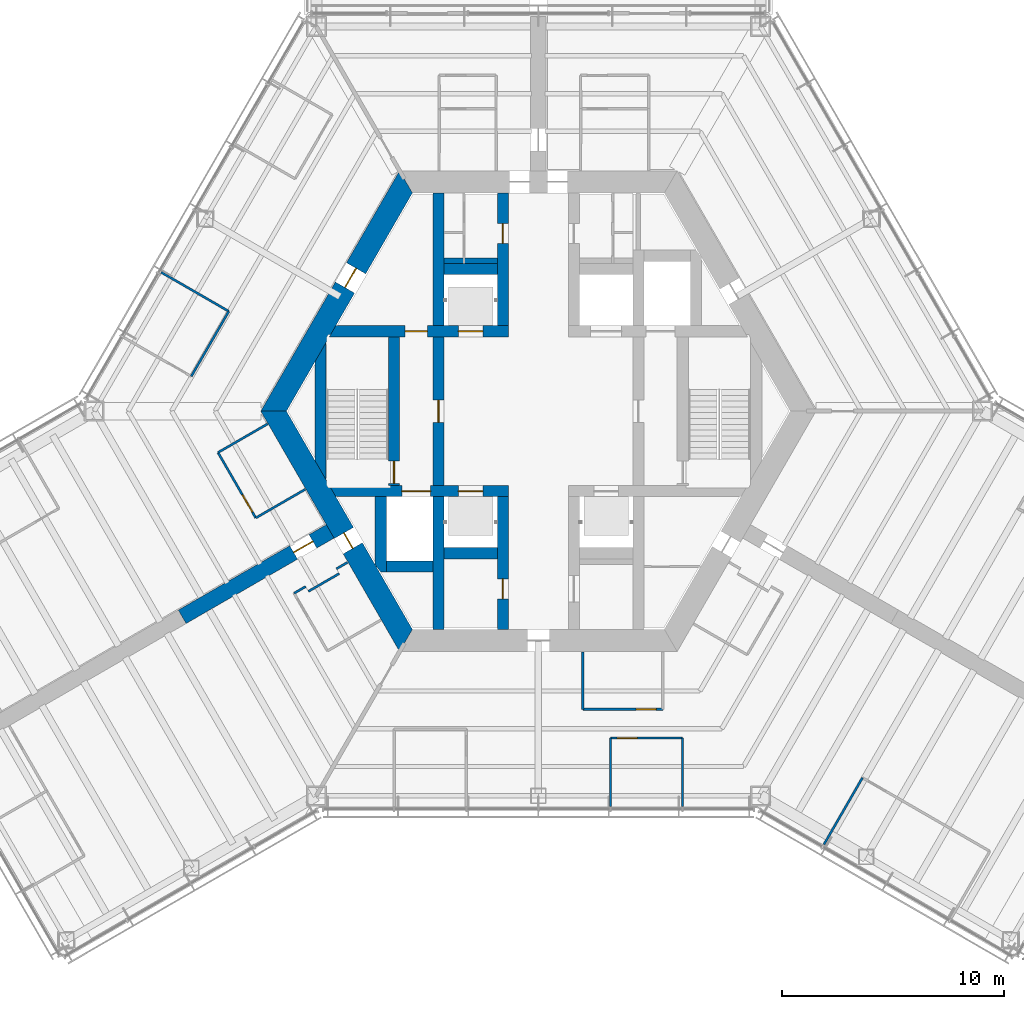
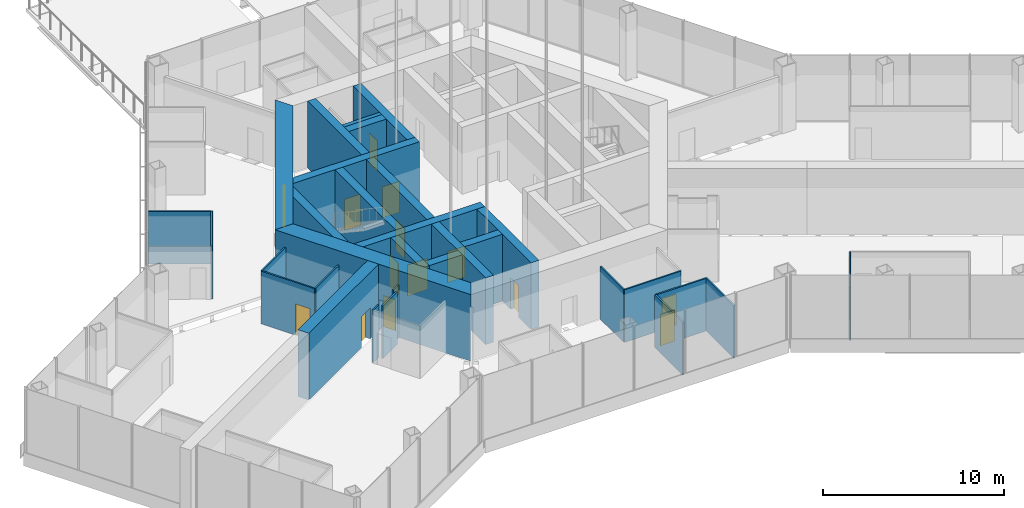
# One storey, part 10 of 18: 31 walls, 14 doors, 14 openings.
"""IFC4 building model written with IfcOpenShell, lengths in metres."""

from ifc_helpers import new_model, si_unit, direction, frame, frame_2d, origin, place, context, subcontext, project, spatial, polyline, rectangle, outline, extrude, material, layer, layer_set, type_object, element, fill, save


model = new_model("IFC4")

# Units and contexts
model_context = context("Model", 3, precision=1e-05, world=origin(), true_north=direction((0.0, 1.0)))
body_context = subcontext(model_context, "Body", "Model", "MODEL_VIEW")
ifc_project = project(units=[si_unit("LENGTHUNIT", "METRE"), si_unit("AREAUNIT", "SQUARE_METRE"), si_unit("VOLUMEUNIT", "CUBIC_METRE"), si_unit("PLANEANGLEUNIT", "RADIAN"), si_unit("MASSUNIT", "GRAM", prefix="KILO")], contexts=[model_context])

# Site, building, storey
site_placement = place(None, origin())
site = spatial("IfcSite", under=ifc_project, at=site_placement, CompositionType="ELEMENT")
building_placement = place(site_placement, origin())
building = spatial("IfcBuilding", under=site, at=building_placement, Name="Kasaneha Research Tower", CompositionType="ELEMENT")
storey_placement = place(building_placement, frame((0.0, 0.0, 128.60009765625)))
storey = spatial("IfcBuildingStorey", under=building, at=storey_placement, Name="L32", CompositionType="ELEMENT", Elevation=128.60009765625)

# Wall, openings, doors
ifc_material_1 = material(Name="Concrete Fc70", Category="concrete")
ifc_layer_1 = layer(ifc_material_1, 0.5)
ifc_layer_set_1 = layer_set([ifc_layer_1], Name="Core internal wall 500 Fc70")
wall_type_1 = type_object("IfcWallType", Name="Core internal wall 500 Fc70", PredefinedType="SHEAR", material=ifc_layer_set_1)
wall_1_placement = place(storey_placement, frame((-9.266357421875, 3.60009765625, 0.0), z_axis=(0.0, 0.0, 1.0), x_axis=(1.0, 0.0, 0.0)))
wall_1 = element("IfcWall", 1, at=wall_1_placement, inside=storey, type_object=wall_type_1, Name="Core wall W1W L32", PredefinedType="SHEAR", context=body_context, shape_type="SweptSolid", body=[
    extrude(outline(polyline([(-0.144287109375, -0.25), (3.266357421875, -0.25), (4.266357421875, -0.25), (5.66650390625, -0.25), (6.7666015625, -0.25), (7.916259765625, -0.25), (7.916259765625, 0.25), (6.7666015625, 0.25), (5.66650390625, 0.25), (4.266357421875, 0.25), (3.266357421875, 0.25), (0.144287109375, 0.25), (-0.144287109375, -0.25)])), origin(), (0.0, 0.0, 1.0), 4.5),
])
opening_1_placement = place(wall_1_placement, frame((3.266357421875, 0.0, 0.0)))
opening_1 = element("IfcOpeningElement", 2, at=opening_1_placement, cuts=wall_1, Name="Opening L32-D12", PredefinedType="OPENING", context=body_context, shape_type="SweptSolid", body=[
    extrude(rectangle(XDim=1.0, YDim=2.10009765625, at=frame_2d((0.5, 1.050048828125))), frame((0.0, 0.260009765625, 0.0), z_axis=(0.0, -1.0, 0.0), x_axis=(1.0, 0.0, 0.0)), (0.0, 0.0, 1.0), 0.52001953125),
])
opening_2_placement = place(wall_1_placement, frame((5.66650390625, 0.0, 0.0)))
opening_2 = element("IfcOpeningElement", 3, at=opening_2_placement, cuts=wall_1, Name="Opening LD-LM1-L32", PredefinedType="OPENING", context=body_context, shape_type="SweptSolid", body=[
    extrude(rectangle(XDim=1.10009765625, YDim=2.10009765625, at=frame_2d((0.550048828125, 1.050048828125))), frame((0.0, 0.260009765625, 0.0), z_axis=(0.0, -1.0, 0.0), x_axis=(1.0, 0.0, 0.0)), (0.0, 0.0, 1.0), 0.52001953125),
])
ifc_material_2 = material(Name="Steel", Category="steel")
door_type_1 = type_object("IfcDoorType", Name="Lift landing door 1100x2100", OperationType="DOUBLE_DOOR_SLIDING", PredefinedType="DOOR", material=ifc_material_2)
door_1_placement = place(opening_2_placement, origin())
door_1 = element("IfcDoor", 4, at=door_1_placement, inside=storey, type_object=door_type_1, Name="Landing door LM1 LD-LM1-L32", OperationType="DOUBLE_DOOR_SLIDING", OverallHeight=2.10009765625, OverallWidth=1.10009765625, PredefinedType="DOOR", context=body_context, shape_type="SweptSolid", body=[
    extrude(rectangle(XDim=1.10009765625, YDim=2.10009765625, at=frame_2d((0.550048828125, 1.050048828125))), frame((0.0, 0.02490234375, 0.0), z_axis=(0.0, -1.0, 0.0), x_axis=(1.0, 0.0, 0.0)), (0.0, 0.0, 1.0), 0.050048828125),
])
fill(opening_2, door_1)
ifc_material_3 = material(Name="Steel", Category="steel")
door_type_2 = type_object("IfcDoorType", Name="Specified fire door FD60 1000x2100", OperationType="NOTDEFINED", PredefinedType="DOOR", material=ifc_material_3)
door_2_placement = place(opening_1_placement, origin())
door_2 = element("IfcDoor", 5, at=door_2_placement, inside=storey, type_object=door_type_2, Name="Vestibule to lobby door L32-D12", OperationType="SINGLE_SWING_LEFT", OverallHeight=2.10009765625, OverallWidth=1.0, PredefinedType="DOOR", context=body_context, shape_type="SweptSolid", body=[
    extrude(rectangle(XDim=1.0, YDim=2.10009765625, at=frame_2d((0.5, 1.050048828125))), frame((0.0, 0.02490234375, 0.0), z_axis=(0.0, -1.0, 0.0), x_axis=(1.0, 0.0, 0.0)), (0.0, 0.0, 1.0), 0.050048828125),
])
fill(opening_1, door_2)

wall_2_placement = place(storey_placement, frame((-9.266357421875, -3.60009765625, 0.0), z_axis=(0.0, 0.0, 1.0), x_axis=(1.0, 0.0, 0.0)))
wall_2 = element("IfcWall", 6, at=wall_2_placement, inside=storey, type_object=wall_type_1, Name="Core wall W2W L32", PredefinedType="SHEAR", context=body_context, shape_type="SweptSolid", body=[
    extrude(outline(polyline([(0.144287109375, -0.25), (3.116455078125, -0.25), (4.41650390625, -0.25), (5.66650390625, -0.25), (6.7666015625, -0.25), (7.916259765625, -0.25), (7.916259765625, 0.25), (6.7666015625, 0.25), (5.66650390625, 0.25), (4.41650390625, 0.25), (3.116455078125, 0.25), (-0.144287109375, 0.25), (0.144287109375, -0.25)])), origin(), (0.0, 0.0, 1.0), 4.5),
])
opening_3_placement = place(wall_2_placement, frame((5.66650390625, 0.0, 0.0)))
opening_3 = element("IfcOpeningElement", 7, at=opening_3_placement, cuts=wall_2, Name="Opening LD-LM3-L32", PredefinedType="OPENING", context=body_context, shape_type="SweptSolid", body=[
    extrude(rectangle(XDim=1.10009765625, YDim=2.10009765625, at=frame_2d((0.550048828125, 1.050048828125))), frame((0.0, 0.260009765625, 0.0), z_axis=(0.0, -1.0, 0.0), x_axis=(1.0, 0.0, 0.0)), (0.0, 0.0, 1.0), 0.52001953125),
])
opening_4_placement = place(wall_2_placement, frame((3.116455078125, 0.0, 0.0)))
opening_4 = element("IfcOpeningElement", 8, at=opening_4_placement, cuts=wall_2, Name="Opening LD-FL2-L32", PredefinedType="OPENING", context=body_context, shape_type="SweptSolid", body=[
    extrude(rectangle(XDim=1.300048828125, YDim=2.10009765625, at=frame_2d((0.64990234375, 1.050048828125))), frame((0.0, 0.260009765625, 0.0), z_axis=(0.0, -1.0, 0.0), x_axis=(1.0, 0.0, 0.0)), (0.0, 0.0, 1.0), 0.52001953125),
])
door_3_placement = place(opening_3_placement, origin())
door_3 = element("IfcDoor", 9, at=door_3_placement, inside=storey, type_object=door_type_1, Name="Landing door LM3 LD-LM3-L32", OperationType="DOUBLE_DOOR_SLIDING", OverallHeight=2.10009765625, OverallWidth=1.10009765625, PredefinedType="DOOR", context=body_context, shape_type="SweptSolid", body=[
    extrude(rectangle(XDim=1.10009765625, YDim=2.10009765625, at=frame_2d((0.550048828125, 1.050048828125))), frame((0.0, 0.02490234375, 0.0), z_axis=(0.0, -1.0, 0.0), x_axis=(1.0, 0.0, 0.0)), (0.0, 0.0, 1.0), 0.050048828125),
])
fill(opening_3, door_3)
ifc_material_4 = material(Name="Steel", Category="steel")
door_type_3 = type_object("IfcDoorType", Name="Lift landing door 1300x2100", OperationType="DOUBLE_DOOR_SLIDING", PredefinedType="DOOR", material=ifc_material_4)
door_4_placement = place(opening_4_placement, origin())
door_4 = element("IfcDoor", 10, at=door_4_placement, inside=storey, type_object=door_type_3, Name="Landing door FL2 LD-FL2-L32", OperationType="DOUBLE_DOOR_SLIDING", OverallHeight=2.10009765625, OverallWidth=1.300048828125, PredefinedType="DOOR", context=body_context, shape_type="SweptSolid", body=[
    extrude(rectangle(XDim=1.300048828125, YDim=2.10009765625, at=frame_2d((0.64990234375, 1.050048828125))), frame((0.0, 0.02490234375, 0.0), z_axis=(0.0, -1.0, 0.0), x_axis=(1.0, 0.0, 0.0)), (0.0, 0.0, 1.0), 0.050048828125),
])
fill(opening_4, door_4)

# Wall, opening, door
wall_3_placement = place(storey_placement, frame((-1.60009765625, 3.85009765625, 0.0), z_axis=(0.0, 0.0, 1.0), x_axis=(0.0, 1.0, 0.0)))
wall_3 = element("IfcWall", 11, at=wall_3_placement, inside=storey, type_object=wall_type_1, Name="Core wall CNW L32", PredefinedType="SHEAR", context=body_context, shape_type="SweptSolid", body=[
    extrude(rectangle(XDim=5.974853515625, YDim=0.5, at=frame_2d((2.9873046875, 0.0))), origin(), (0.0, 0.0, 1.0), 4.5),
])
opening_5_placement = place(wall_3_placement, frame((3.699951171875, 0.0, 0.0)))
opening_5 = element("IfcOpeningElement", 12, at=opening_5_placement, cuts=wall_3, Name="Opening L32-D13", PredefinedType="OPENING", context=body_context, shape_type="SweptSolid", body=[
    extrude(rectangle(XDim=0.89990234375, YDim=2.10009765625, at=frame_2d((0.449951171875, 1.050048828125))), frame((0.0, 0.260009765625, 0.0), z_axis=(0.0, -1.0, 0.0), x_axis=(1.0, 0.0, 0.0)), (0.0, 0.0, 1.0), 0.52001953125),
])
ifc_material_5 = material(Name="Steel", Category="steel")
door_type_4 = type_object("IfcDoorType", Name="Toilet door FD20 900x2100", OperationType="NOTDEFINED", PredefinedType="DOOR", material=ifc_material_5)
door_5_placement = place(opening_5_placement, origin())
door_5 = element("IfcDoor", 13, at=door_5_placement, inside=storey, type_object=door_type_4, Name="Men's WC door L32-D13", OperationType="SINGLE_SWING_LEFT", OverallHeight=2.10009765625, OverallWidth=0.89990234375, PredefinedType="DOOR", context=body_context, shape_type="SweptSolid", body=[
    extrude(rectangle(XDim=0.89990234375, YDim=2.10009765625, at=frame_2d((0.449951171875, 1.050048828125))), frame((0.0, 0.02490234375, 0.0), z_axis=(0.0, -1.0, 0.0), x_axis=(1.0, 0.0, 0.0)), (0.0, 0.0, 1.0), 0.050048828125),
])
fill(opening_5, door_5)

wall_4_placement = place(storey_placement, frame((-1.60009765625, -3.85009765625, 0.0), z_axis=(0.0, 0.0, 1.0), x_axis=(0.0, -1.0, 0.0)))
wall_4 = element("IfcWall", 14, at=wall_4_placement, inside=storey, type_object=wall_type_1, Name="Core wall CSW L32", PredefinedType="SHEAR", context=body_context, shape_type="SweptSolid", body=[
    extrude(rectangle(XDim=5.974853515625, YDim=0.5, at=frame_2d((2.9873046875, 0.0))), origin(), (0.0, 0.0, 1.0), 4.5),
])
opening_6_placement = place(wall_4_placement, frame((3.699951171875, 0.0, 0.0)))
opening_6 = element("IfcOpeningElement", 15, at=opening_6_placement, cuts=wall_4, Name="Opening L32-D16", PredefinedType="OPENING", context=body_context, shape_type="SweptSolid", body=[
    extrude(rectangle(XDim=0.89990234375, YDim=2.10009765625, at=frame_2d((0.449951171875, 1.050048828125))), frame((0.0, 0.260009765625, 0.0), z_axis=(0.0, -1.0, 0.0), x_axis=(1.0, 0.0, 0.0)), (0.0, 0.0, 1.0), 0.52001953125),
])
ifc_material_6 = material(Name="Steel", Category="steel")
door_type_5 = type_object("IfcDoorType", Name="Riser access door FD60 900x2100", OperationType="NOTDEFINED", PredefinedType="DOOR", material=ifc_material_6)
door_6_placement = place(opening_6_placement, origin())
door_6 = element("IfcDoor", 16, at=door_6_placement, inside=storey, type_object=door_type_5, Name="Electrical riser door L32-D16", OperationType="SINGLE_SWING_LEFT", OverallHeight=2.10009765625, OverallWidth=0.89990234375, PredefinedType="DOOR", context=body_context, shape_type="SweptSolid", body=[
    extrude(rectangle(XDim=0.89990234375, YDim=2.10009765625, at=frame_2d((0.449951171875, 1.050048828125))), frame((0.0, 0.02490234375, 0.0), z_axis=(0.0, -1.0, 0.0), x_axis=(1.0, 0.0, 0.0)), (0.0, 0.0, 1.0), 0.050048828125),
])
fill(opening_6, door_6)

wall_5_placement = place(storey_placement, frame((-4.5, -3.35009765625, 0.0), z_axis=(0.0, 0.0, 1.0), x_axis=(0.0, 1.0, 0.0)))
wall_5 = element("IfcWall", 17, at=wall_5_placement, inside=storey, type_object=wall_type_1, Name="Core wall LBW L32", PredefinedType="SHEAR", context=body_context, shape_type="SweptSolid", body=[
    extrude(rectangle(XDim=6.7001953125, YDim=0.5, at=frame_2d((3.35009765625, 0.0))), origin(), (0.0, 0.0, 1.0), 4.5),
])
opening_7_placement = place(wall_5_placement, frame((2.85009765625, 0.0, 0.0)))
opening_7 = element("IfcOpeningElement", 18, at=opening_7_placement, cuts=wall_5, Name="Opening L32-D09", PredefinedType="OPENING", context=body_context, shape_type="SweptSolid", body=[
    extrude(rectangle(XDim=1.0, YDim=2.10009765625, at=frame_2d((0.5, 1.050048828125))), frame((0.0, 0.260009765625, 0.0), z_axis=(0.0, -1.0, 0.0), x_axis=(1.0, 0.0, 0.0)), (0.0, 0.0, 1.0), 0.52001953125),
])
door_7_placement = place(opening_7_placement, origin())
door_7 = element("IfcDoor", 19, at=door_7_placement, inside=storey, type_object=door_type_2, Name="Lift lobby door west L32-D09", OperationType="SINGLE_SWING_LEFT", OverallHeight=2.10009765625, OverallWidth=1.0, PredefinedType="DOOR", context=body_context, shape_type="SweptSolid", body=[
    extrude(rectangle(XDim=1.0, YDim=2.10009765625, at=frame_2d((0.5, 1.050048828125))), frame((0.0, 0.02490234375, 0.0), z_axis=(0.0, -1.0, 0.0), x_axis=(1.0, 0.0, 0.0)), (0.0, 0.0, 1.0), 0.050048828125),
])
fill(opening_7, door_7)

wall_6_placement = place(storey_placement, frame((-6.5, -3.35009765625, 0.0), z_axis=(0.0, 0.0, 1.0), x_axis=(0.0, 1.0, 0.0)))
wall_6 = element("IfcWall", 20, at=wall_6_placement, inside=storey, type_object=wall_type_1, Name="Core wall ANW L32", PredefinedType="SHEAR", context=body_context, shape_type="SweptSolid", body=[
    extrude(rectangle(XDim=6.7001953125, YDim=0.5, at=frame_2d((3.35009765625, 0.0))), origin(), (0.0, 0.0, 1.0), 4.5),
])
opening_8_placement = place(wall_6_placement, frame((0.10009765625, 0.0, 0.0)))
opening_8 = element("IfcOpeningElement", 21, at=opening_8_placement, cuts=wall_6, Name="Opening L32-D11", PredefinedType="OPENING", context=body_context, shape_type="SweptSolid", body=[
    extrude(rectangle(XDim=1.0, YDim=2.10009765625, at=frame_2d((0.5, 1.050048828125))), frame((0.0, 0.260009765625, 0.0), z_axis=(0.0, -1.0, 0.0), x_axis=(1.0, 0.0, 0.0)), (0.0, 0.0, 1.0), 0.52001953125),
])
door_8_placement = place(opening_8_placement, origin())
door_8 = element("IfcDoor", 22, at=door_8_placement, inside=storey, type_object=door_type_2, Name="Stair 2 door L32-D11", OperationType="SINGLE_SWING_LEFT", OverallHeight=2.10009765625, OverallWidth=1.0, PredefinedType="DOOR", context=body_context, shape_type="SweptSolid", body=[
    extrude(rectangle(XDim=1.0, YDim=2.10009765625, at=frame_2d((0.5, 1.050048828125))), frame((0.0, 0.02490234375, 0.0), z_axis=(0.0, -1.0, 0.0), x_axis=(1.0, 0.0, 0.0)), (0.0, 0.0, 1.0), 0.050048828125),
])
fill(opening_8, door_8)

# Walls
for number, where, z_axis, x_axis, name in (
    (23, (-4.5, 3.85009765625, 0.0), (0.0, 0.0, 1.0), (0.0, 1.0, 0.0), "Core wall VNW L32"),
    (24, (-4.5, -3.85009765625, 0.0), (0.0, 0.0, 1.0), (0.0, -1.0, 0.0), "Core wall SSW L32"),
):
    element("IfcWall", number, at=place(storey_placement, frame(where, z_axis=z_axis, x_axis=x_axis)), inside=storey, type_object=wall_type_1, Name=name, PredefinedType="SHEAR", context=body_context, shape_type="SweptSolid", body=[
        extrude(rectangle(XDim=5.974853515625, YDim=0.5, at=frame_2d((2.9873046875, 0.0))), origin(), (0.0, 0.0, 1.0), 4.5),
    ])
for number, where, z_axis, x_axis, name in (
    (25, (-4.25, 6.39990234375, 0.0), (0.0, 0.0, 1.0), (1.0, 0.0, 0.0), "Core wall N1N L32"),
    (26, (-4.25, -6.39990234375, 0.0), (0.0, 0.0, 1.0), (1.0, 0.0, 0.0), "Core wall S1S L32"),
):
    element("IfcWall", number, at=place(storey_placement, frame(where, z_axis=z_axis, x_axis=x_axis)), inside=storey, type_object=wall_type_1, Name=name, PredefinedType="SHEAR", context=body_context, shape_type="SweptSolid", body=[
        extrude(rectangle(XDim=2.39990234375, YDim=0.5, at=frame_2d((1.199951171875, 0.0))), origin(), (0.0, 0.0, 1.0), 4.5),
    ])
wall_7_placement = place(storey_placement, frame((-6.85009765625, -7.0, 0.0), z_axis=(0.0, 0.0, 1.0), x_axis=(1.0, 0.0, 0.0)))
element("IfcWall", 27, at=wall_7_placement, inside=storey, type_object=wall_type_1, Name="Core wall F2S L32", PredefinedType="SHEAR", context=body_context, shape_type="SweptSolid", body=[
    extrude(rectangle(XDim=2.10009765625, YDim=0.5, at=frame_2d((1.050048828125, 0.0))), origin(), (0.0, 0.0, 1.0), 4.5),
])
wall_8_placement = place(storey_placement, frame((-7.10009765625, -3.85009765625, 0.0), z_axis=(0.0, 0.0, 1.0), x_axis=(0.0, -1.0, 0.0)))
element("IfcWall", 28, at=wall_8_placement, inside=storey, type_object=wall_type_1, Name="Core wall F2W L32", PredefinedType="SHEAR", context=body_context, shape_type="SweptSolid", body=[
    extrude(outline(polyline([(0.0, -0.25), (3.0693359375, -0.25), (3.39990234375, 0.0), (3.39990234375, 0.25), (0.0, 0.25), (0.0, -0.25)])), origin(), (0.0, 0.0, 1.0), 4.5),
])
wall_9_placement = place(storey_placement, frame((-9.807861328125, -2.662353515625, 0.0), z_axis=(0.0, 0.0, 1.0), x_axis=(0.0, 1.0, 0.0)))
element("IfcWall", 29, at=wall_9_placement, inside=storey, type_object=wall_type_1, Name="Core wall STW L32", PredefinedType="SHEAR", context=body_context, shape_type="SweptSolid", body=[
    extrude(outline(polyline([(-0.43310546875, -0.25), (5.7578125, -0.25), (4.8916015625, 0.25), (0.43310546875, 0.25), (-0.43310546875, -0.25)])), origin(), (0.0, 0.0, 1.0), 4.5),
])

# Wall, opening, door
ifc_material_7 = material(Name="Concrete Fc70", Category="concrete")
ifc_layer_2 = layer(ifc_material_7, 1.0)
ifc_layer_set_2 = layer_set([ifc_layer_2], Name="Core wall 1000 Fc70")
wall_type_2 = type_object("IfcWallType", Name="Core wall 1000 Fc70", PredefinedType="SHEAR", material=ifc_layer_set_2)
wall_10_placement = place(storey_placement, frame((-5.961181640625, 10.324951171875, 0.0), z_axis=(0.0, 0.0, 1.0), x_axis=(-0.500004296715, -0.866022923061, 0.0)))
wall_10 = element("IfcWall", 30, at=wall_10_placement, inside=storey, type_object=wall_type_2, Name="Core wall 150 L32", PredefinedType="SHEAR", context=body_context, shape_type="SweptSolid", body=[
    extrude(outline(polyline([(-0.28857421875, -0.5), (4.494140625, -0.5), (5.494140625, -0.5), (12.2109375, -0.5), (11.6337890625, 0.5), (5.494140625, 0.5), (4.494140625, 0.5), (0.28857421875, 0.5), (-0.28857421875, -0.5)])), origin(), (0.0, 0.0, 1.0), 4.5),
])
opening_9_placement = place(wall_10_placement, frame((4.494140625, 0.0, 0.0)))
opening_9 = element("IfcOpeningElement", 31, at=opening_9_placement, cuts=wall_10, Name="Opening L32-D07", PredefinedType="OPENING", context=body_context, shape_type="SweptSolid", body=[
    extrude(rectangle(XDim=1.0, YDim=2.10009765625, at=frame_2d((0.5, 1.050048828125))), frame((0.0, 0.510009765625, 0.0), z_axis=(0.0, -1.0, 0.0), x_axis=(1.0, 0.0, 0.0)), (0.0, 0.0, 1.0), 1.02001953125),
])
ifc_material_8 = material(Name="Steel", Category="steel")
door_type_6 = type_object("IfcDoorType", Name="Fire door FD20 1000x2100", OperationType="NOTDEFINED", PredefinedType="DOOR", material=ifc_material_8)
door_9_placement = place(opening_9_placement, origin())
door_9 = element("IfcDoor", 32, at=door_9_placement, inside=storey, type_object=door_type_6, Name="Vestibule door L32-D07", OperationType="SINGLE_SWING_LEFT", OverallHeight=2.10009765625, OverallWidth=1.0, PredefinedType="DOOR", context=body_context, shape_type="SweptSolid", body=[
    extrude(rectangle(XDim=1.0, YDim=2.10009765625, at=frame_2d((0.5, 1.050048828125))), frame((0.0, 0.02490234375, 0.0), z_axis=(0.0, -1.0, 0.0), x_axis=(1.0, 0.0, 0.0)), (0.0, 0.0, 1.0), 0.050048828125),
])
fill(opening_9, door_9)

wall_11_placement = place(storey_placement, frame((-11.92236328125, 0.0, 0.0), z_axis=(0.0, 0.0, 1.0), x_axis=(0.500004296715, -0.866022923061, 0.0)))
wall_11 = element("IfcWall", 33, at=wall_11_placement, inside=storey, type_object=wall_type_2, Name="Core wall 210 L32", PredefinedType="SHEAR", context=body_context, shape_type="SweptSolid", body=[
    extrude(outline(polyline([(-0.28857421875, -0.5), (6.3310546875, -0.5), (7.131103515625, -0.5), (12.2109375, -0.5), (11.6337890625, 0.5), (7.131103515625, 0.5), (6.3310546875, 0.5), (0.28857421875, 0.5), (-0.28857421875, -0.5)])), origin(), (0.0, 0.0, 1.0), 4.5),
])
opening_10_placement = place(wall_11_placement, frame((6.3310546875, 0.0, 0.0)))
opening_10 = element("IfcOpeningElement", 34, at=opening_10_placement, cuts=wall_11, Name="Opening L32-D06", PredefinedType="OPENING", context=body_context, shape_type="SweptSolid", body=[
    extrude(rectangle(XDim=0.800048828125, YDim=2.10009765625, at=frame_2d((0.39990234375, 1.050048828125))), frame((0.0, 0.510009765625, 0.0), z_axis=(0.0, -1.0, 0.0), x_axis=(1.0, 0.0, 0.0)), (0.0, 0.0, 1.0), 1.02001953125),
])
ifc_material_9 = material(Name="Steel", Category="steel")
door_type_7 = type_object("IfcDoorType", Name="Riser access door FD60 800x2100", OperationType="NOTDEFINED", PredefinedType="DOOR", material=ifc_material_9)
door_10_placement = place(opening_10_placement, origin())
door_10 = element("IfcDoor", 35, at=door_10_placement, inside=storey, type_object=door_type_7, Name="Duct riser door L32-D06", OperationType="SINGLE_SWING_RIGHT", OverallHeight=2.10009765625, OverallWidth=0.800048828125, PredefinedType="DOOR", context=body_context, shape_type="SweptSolid", body=[
    extrude(rectangle(XDim=0.800048828125, YDim=2.10009765625, at=frame_2d((0.39990234375, 1.050048828125))), frame((0.0, 0.02490234375, 0.0), z_axis=(0.0, -1.0, 0.0), x_axis=(1.0, 0.0, 0.0)), (0.0, 0.0, 1.0), 0.050048828125),
])
fill(opening_10, door_10)

# Walls
ifc_material_10 = material(Name="Gypsum board on steel studs, one layer each side", Category="steel")
ifc_layer_3 = layer(ifc_material_10, 0.10009765625)
ifc_layer_set_3 = layer_set([ifc_layer_3], Name="Office partition 100")
wall_type_3 = type_object("IfcWallType", Name="Office partition 100", PredefinedType="PARTITIONING", material=ifc_layer_set_3)
wall_12_placement = place(storey_placement, frame((-16.988037109375, 6.254638671875, 0.0), z_axis=(0.0, 0.0, 1.0), x_axis=(0.866009963213, -0.5000267429, 0.0)))
element("IfcWall", 36, at=wall_12_placement, inside=storey, type_object=wall_type_3, Name="Office partition FBN01 L32", PredefinedType="PARTITIONING", context=body_context, shape_type="SweptSolid", body=[
    extrude(rectangle(XDim=3.518798828125, YDim=0.10009765625, at=frame_2d((1.75927734375, 0.0))), origin(), (0.0, 0.0, 1.0), 3.5498046875),
])
wall_13_placement = place(storey_placement, frame((-13.940673828125, 4.4951171875, 0.0), z_axis=(0.0, 0.0, 1.0), x_axis=(-0.500003502126, -0.866023381821, 0.0)))
element("IfcWall", 37, at=wall_13_placement, inside=storey, type_object=wall_type_3, Name="Office partition FBN03 L32", PredefinedType="PARTITIONING", context=body_context, shape_type="SweptSolid", body=[
    extrude(rectangle(XDim=3.3837890625, YDim=0.10009765625, at=frame_2d((1.69189453125, 0.0))), origin(), (0.0, 0.0, 1.0), 3.5498046875),
])
wall_14_placement = place(storey_placement, frame((-14.426513671875, -1.86279296875, 0.0), z_axis=(0.0, 0.0, 1.0), x_axis=(0.866045356598, 0.49996543912, 0.0)))
element("IfcWall", 38, at=wall_14_placement, inside=storey, type_object=wall_type_3, Name="Office partition FBN07 L32", PredefinedType="PARTITIONING", context=body_context, shape_type="SweptSolid", body=[
    extrude(rectangle(XDim=2.580322265625, YDim=0.10009765625, at=frame_2d((1.2900390625, 0.0))), origin(), (0.0, 0.0, 1.0), 3.5498046875),
])

# Wall, opening, door
wall_15_placement = place(storey_placement, frame((-12.726318359375, -4.80712890625, 0.0), z_axis=(0.0, 0.0, 1.0), x_axis=(-0.500062241894, 0.865989465428, 0.0)))
wall_15 = element("IfcWall", 39, at=wall_15_placement, inside=storey, type_object=wall_type_3, Name="Office partition FBN08 L32", PredefinedType="PARTITIONING", context=body_context, shape_type="SweptSolid", body=[
    extrude(rectangle(XDim=3.39990234375, YDim=0.10009765625, at=frame_2d((1.699951171875, 0.0))), origin(), (0.0, 0.0, 1.0), 3.5498046875),
])
opening_11_placement = place(wall_15_placement, frame((0.300048828125, 0.0, 0.0)))
opening_11 = element("IfcOpeningElement", 40, at=opening_11_placement, cuts=wall_15, Name="Opening L32-D34", PredefinedType="OPENING", context=body_context, shape_type="SweptSolid", body=[
    extrude(rectangle(XDim=0.89990234375, YDim=2.10009765625, at=frame_2d((0.449951171875, 1.050048828125))), frame((0.0, 0.06005859375, 0.0), z_axis=(0.0, -1.0, 0.0), x_axis=(1.0, 0.0, 0.0)), (0.0, 0.0, 1.0), 0.1201171875),
])
ifc_material_11 = material(Name="Timber veneer", Category="wood")
door_type_8 = type_object("IfcDoorType", Name="Office door 900x2100", OperationType="SINGLE_SWING_LEFT", PredefinedType="DOOR", material=ifc_material_11)
door_11_placement = place(opening_11_placement, origin())
door_11 = element("IfcDoor", 41, at=door_11_placement, inside=storey, type_object=door_type_8, Name="Wellness room door L32-D34", OperationType="SINGLE_SWING_LEFT", OverallHeight=2.10009765625, OverallWidth=0.89990234375, PredefinedType="DOOR", context=body_context, shape_type="SweptSolid", body=[
    extrude(rectangle(XDim=0.89990234375, YDim=2.10009765625, at=frame_2d((0.449951171875, 1.050048828125))), frame((0.0, 0.02490234375, 0.0), z_axis=(0.0, -1.0, 0.0), x_axis=(1.0, 0.0, 0.0)), (0.0, 0.0, 1.0), 0.050048828125),
])
fill(opening_11, door_11)

# Walls
wall_16_placement = place(storey_placement, frame((-10.491943359375, -3.51708984375, 0.0), z_axis=(0.0, 0.0, 1.0), x_axis=(-0.866021702275, -0.500006411147, 0.0)))
element("IfcWall", 42, at=wall_16_placement, inside=storey, type_object=wall_type_3, Name="Office partition FBN09 L32", PredefinedType="PARTITIONING", context=body_context, shape_type="SweptSolid", body=[
    extrude(rectangle(XDim=2.580078125, YDim=0.10009765625, at=frame_2d((1.2900390625, 0.0))), origin(), (0.0, 0.0, 1.0), 3.5498046875),
])
wall_17_placement = place(storey_placement, frame((-10.99951171875, -8.197998046875, 0.0), z_axis=(0.0, 0.0, 1.0), x_axis=(0.866131372301, 0.499816412211, 0.0)))
element("IfcWall", 43, at=wall_17_placement, inside=storey, type_object=wall_type_3, Name="Office partition FBS01 L32", PredefinedType="PARTITIONING", context=body_context, shape_type="SweptSolid", body=[
    extrude(rectangle(XDim=0.599853515625, YDim=0.10009765625, at=frame_2d((0.2998046875, 0.0))), origin(), (0.0, 0.0, 1.0), 3.5498046875),
])
wall_18_placement = place(storey_placement, frame((-10.35498046875, -8.114501953125, 0.0), z_axis=(0.0, 0.0, 1.0), x_axis=(0.866094119867, 0.499880961361, 0.0)))
element("IfcWall", 44, at=wall_18_placement, inside=storey, type_object=wall_type_3, Name="Office partition FBS02 L32", PredefinedType="PARTITIONING", context=body_context, shape_type="SweptSolid", body=[
    extrude(rectangle(XDim=1.60009765625, YDim=0.10009765625, at=frame_2d((0.800048828125, 0.0))), origin(), (0.0, 0.0, 1.0), 3.5498046875),
])
wall_19_placement = place(storey_placement, frame((-9.09423828125, -7.09814453125, 0.0), z_axis=(0.0, 0.0, 1.0), x_axis=(0.865954211699, 0.50012328804, 0.0)))
element("IfcWall", 45, at=wall_19_placement, inside=storey, type_object=wall_type_3, Name="Office partition FBS04 L32", PredefinedType="PARTITIONING", context=body_context, shape_type="SweptSolid", body=[
    extrude(rectangle(XDim=0.579833984375, YDim=0.10009765625, at=frame_2d((0.2900390625, 0.0))), origin(), (0.0, 0.0, 1.0), 3.5498046875),
])
wall_20_placement = place(storey_placement, frame((12.857177734375, -19.5126953125, 0.0), z_axis=(0.0, 0.0, 1.0), x_axis=(0.500051338648, 0.865995761373, 0.0)))
element("IfcWall", 46, at=wall_20_placement, inside=storey, type_object=wall_type_3, Name="Office partition FCS09 L32", PredefinedType="PARTITIONING", context=body_context, shape_type="SweptSolid", body=[
    extrude(rectangle(XDim=3.469970703125, YDim=0.10009765625, at=frame_2d((1.73486328125, 0.0))), origin(), (0.0, 0.0, 1.0), 3.5498046875),
])
wall_21_placement = place(storey_placement, frame((2.0, -13.425048828125, 0.0), z_axis=(0.0, 0.0, 1.0), x_axis=(0.0, 1.0, 0.0)))
element("IfcWall", 47, at=wall_21_placement, inside=storey, type_object=wall_type_3, Name="Office partition FCS12 L32", PredefinedType="PARTITIONING", context=body_context, shape_type="SweptSolid", body=[
    extrude(rectangle(XDim=2.580078125, YDim=0.10009765625, at=frame_2d((1.2900390625, 0.0))), origin(), (0.0, 0.0, 1.0), 3.5498046875),
])

# Wall, opening, door
wall_22_placement = place(storey_placement, frame((5.60009765625, -13.425048828125, 0.0), z_axis=(0.0, 0.0, 1.0), x_axis=(-1.0, 0.0, 0.0)))
wall_22 = element("IfcWall", 48, at=wall_22_placement, inside=storey, type_object=wall_type_3, Name="Office partition FCS13 L32", PredefinedType="PARTITIONING", context=body_context, shape_type="SweptSolid", body=[
    extrude(rectangle(XDim=3.60009765625, YDim=0.10009765625, at=frame_2d((1.800048828125, 0.0))), origin(), (0.0, 0.0, 1.0), 3.5498046875),
])
opening_12_placement = place(wall_22_placement, frame((0.300048828125, 0.0, 0.0)))
opening_12 = element("IfcOpeningElement", 49, at=opening_12_placement, cuts=wall_22, Name="Opening L32-D44", PredefinedType="OPENING", context=body_context, shape_type="SweptSolid", body=[
    extrude(rectangle(XDim=0.89990234375, YDim=2.10009765625, at=frame_2d((0.449951171875, 1.050048828125))), frame((0.0, 0.06005859375, 0.0), z_axis=(0.0, -1.0, 0.0), x_axis=(1.0, 0.0, 0.0)), (0.0, 0.0, 1.0), 0.1201171875),
])
door_12_placement = place(opening_12_placement, origin())
door_12 = element("IfcDoor", 50, at=door_12_placement, inside=storey, type_object=door_type_8, Name="Wellness room door L32-D44", OperationType="SINGLE_SWING_LEFT", OverallHeight=2.10009765625, OverallWidth=0.89990234375, PredefinedType="DOOR", context=body_context, shape_type="SweptSolid", body=[
    extrude(rectangle(XDim=0.89990234375, YDim=2.10009765625, at=frame_2d((0.449951171875, 1.050048828125))), frame((0.0, 0.02490234375, 0.0), z_axis=(0.0, -1.0, 0.0), x_axis=(1.0, 0.0, 0.0)), (0.0, 0.0, 1.0), 0.050048828125),
])
fill(opening_12, door_12)

# Wall
wall_23_placement = place(storey_placement, frame((3.246337890625, -17.800537109375, 0.0), z_axis=(0.0, 0.0, 1.0), x_axis=(0.0, 1.0, 0.0)))
element("IfcWall", 51, at=wall_23_placement, inside=storey, type_object=wall_type_3, Name="Office partition FCS15 L32", PredefinedType="PARTITIONING", context=body_context, shape_type="SweptSolid", body=[
    extrude(rectangle(XDim=3.080078125, YDim=0.10009765625, at=frame_2d((1.5400390625, 0.0))), origin(), (0.0, 0.0, 1.0), 3.5498046875),
])

# Wall, opening, door
wall_24_placement = place(storey_placement, frame((3.246337890625, -14.720458984375, 0.0), z_axis=(0.0, 0.0, 1.0), x_axis=(1.0, 0.0, 0.0)))
wall_24 = element("IfcWall", 52, at=wall_24_placement, inside=storey, type_object=wall_type_3, Name="Office partition FCS16 L32", PredefinedType="PARTITIONING", context=body_context, shape_type="SweptSolid", body=[
    extrude(rectangle(XDim=3.24658203125, YDim=0.10009765625, at=frame_2d((1.623291015625, 0.0))), origin(), (0.0, 0.0, 1.0), 3.5498046875),
])
opening_13_placement = place(wall_24_placement, frame((0.300048828125, 0.0, 0.0)))
opening_13 = element("IfcOpeningElement", 53, at=opening_13_placement, cuts=wall_24, Name="Opening L32-D45", PredefinedType="OPENING", context=body_context, shape_type="SweptSolid", body=[
    extrude(rectangle(XDim=0.89990234375, YDim=2.10009765625, at=frame_2d((0.449951171875, 1.050048828125))), frame((0.0, 0.06005859375, 0.0), z_axis=(0.0, -1.0, 0.0), x_axis=(1.0, 0.0, 0.0)), (0.0, 0.0, 1.0), 0.1201171875),
])
door_13_placement = place(opening_13_placement, origin())
door_13 = element("IfcDoor", 54, at=door_13_placement, inside=storey, type_object=door_type_8, Name="Workroom door L32-D45", OperationType="SINGLE_SWING_LEFT", OverallHeight=2.10009765625, OverallWidth=0.89990234375, PredefinedType="DOOR", context=body_context, shape_type="SweptSolid", body=[
    extrude(rectangle(XDim=0.89990234375, YDim=2.10009765625, at=frame_2d((0.449951171875, 1.050048828125))), frame((0.0, 0.02490234375, 0.0), z_axis=(0.0, -1.0, 0.0), x_axis=(1.0, 0.0, 0.0)), (0.0, 0.0, 1.0), 0.050048828125),
])
fill(opening_13, door_13)

# Wall
wall_25_placement = place(storey_placement, frame((6.492919921875, -14.720458984375, 0.0), z_axis=(0.0, 0.0, 1.0), x_axis=(0.0, -1.0, 0.0)))
element("IfcWall", 55, at=wall_25_placement, inside=storey, type_object=wall_type_3, Name="Office partition FCS17 L32", PredefinedType="PARTITIONING", context=body_context, shape_type="SweptSolid", body=[
    extrude(rectangle(XDim=3.080078125, YDim=0.10009765625, at=frame_2d((1.5400390625, 0.0))), origin(), (0.0, 0.0, 1.0), 3.5498046875),
])

# Wall, opening, door
ifc_material_12 = material(Name="Concrete Fc70", Category="concrete")
ifc_layer_4 = layer(ifc_material_12, 0.699951171875)
ifc_layer_set_4 = layer_set([ifc_layer_4], Name="Spine wall 700 Fc70")
wall_type_4 = type_object("IfcWallType", Name="Spine wall 700 Fc70", PredefinedType="SHEAR", material=ifc_layer_set_4)
wall_26_placement = place(storey_placement, frame((-9.374755859375, -5.41259765625, 0.0), z_axis=(0.0, 0.0, 1.0), x_axis=(-0.866032377459, -0.499987921047, 0.0)))
wall_26 = element("IfcWall", 56, at=wall_26_placement, inside=storey, type_object=wall_type_4, Name="Spine wall B L32", PredefinedType="SHEAR", context=body_context, shape_type="SweptSolid", body=[
    extrude(rectangle(XDim=7.695556640625, YDim=0.699951171875, at=frame_2d((3.84765625, 0.0))), origin(), (0.0, 0.0, 1.0), 4.5),
])
opening_14_placement = place(wall_26_placement, frame((0.89990234375, 0.0, 0.0)))
opening_14 = element("IfcOpeningElement", 57, at=opening_14_placement, cuts=wall_26, Name="Opening L32-D18", PredefinedType="OPENING", context=body_context, shape_type="SweptSolid", body=[
    extrude(rectangle(XDim=1.0, YDim=2.10009765625, at=frame_2d((0.5, 1.050048828125))), frame((0.0, 0.35986328125, 0.0), z_axis=(0.0, -1.0, 0.0), x_axis=(1.0, 0.0, 0.0)), (0.0, 0.0, 1.0), 0.719970703125),
])
door_14_placement = place(opening_14_placement, origin())
door_14 = element("IfcDoor", 58, at=door_14_placement, inside=storey, type_object=door_type_2, Name="Spine doorway B L32-D18", OperationType="SINGLE_SWING_LEFT", OverallHeight=2.10009765625, OverallWidth=1.0, PredefinedType="DOOR", context=body_context, shape_type="SweptSolid", body=[
    extrude(rectangle(XDim=1.0, YDim=2.10009765625, at=frame_2d((0.5, 1.050048828125))), frame((0.0, 0.02490234375, 0.0), z_axis=(0.0, -1.0, 0.0), x_axis=(1.0, 0.0, 0.0)), (0.0, 0.0, 1.0), 0.050048828125),
])
fill(opening_14, door_14)

# Wall
ifc_material_13 = material(Name="Concrete block lining", Category="concrete")
ifc_layer_5 = layer(ifc_material_13, 0.25)
ifc_layer_set_5 = layer_set([ifc_layer_5], Name="WC plumbing wall 250")
wall_type_5 = type_object("IfcWallType", Name="WC plumbing wall 250", PredefinedType="PLUMBINGWALL", material=ifc_layer_set_5)
wall_27_placement = place(storey_placement, frame((-4.25, 6.77490234375, 0.0), z_axis=(0.0, 0.0, 1.0), x_axis=(1.0, 0.0, 0.0)))
element("IfcWall", 59, at=wall_27_placement, inside=storey, type_object=wall_type_5, Name="WC plumbing wall M L32", PredefinedType="PLUMBINGWALL", context=body_context, shape_type="SweptSolid", body=[
    extrude(rectangle(XDim=2.39990234375, YDim=0.25, at=frame_2d((1.199951171875, 0.0))), origin(), (0.0, 0.0, 1.0), 4.5),
])

save(model, "model.ifc")
